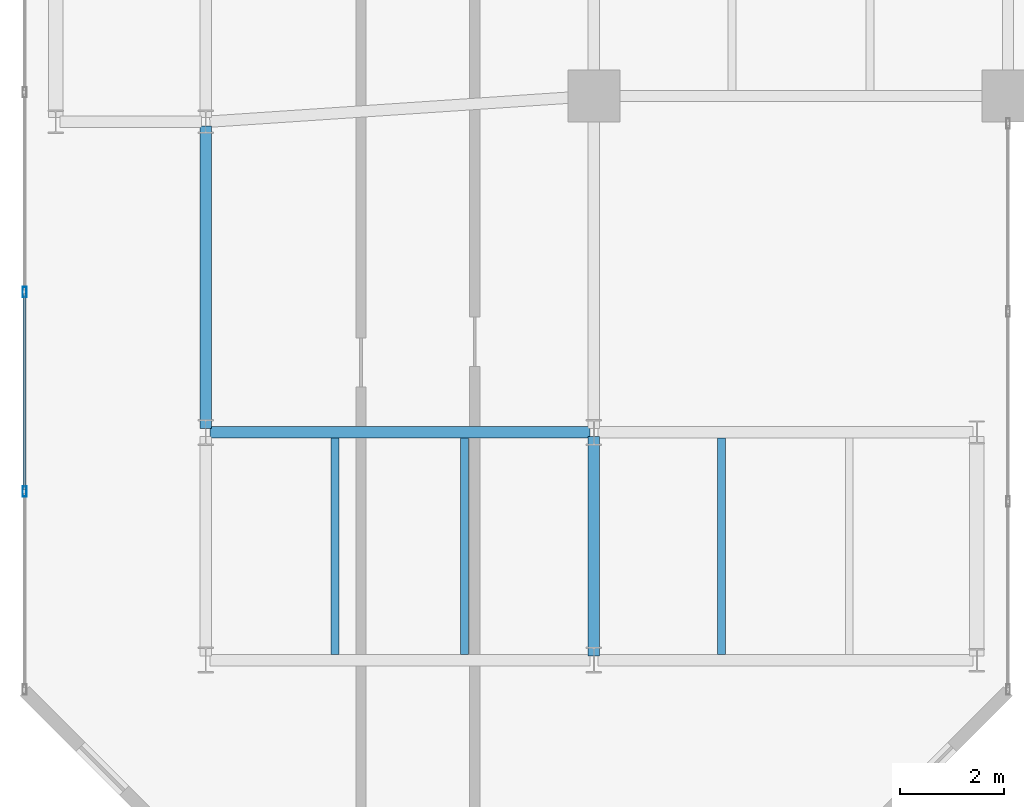
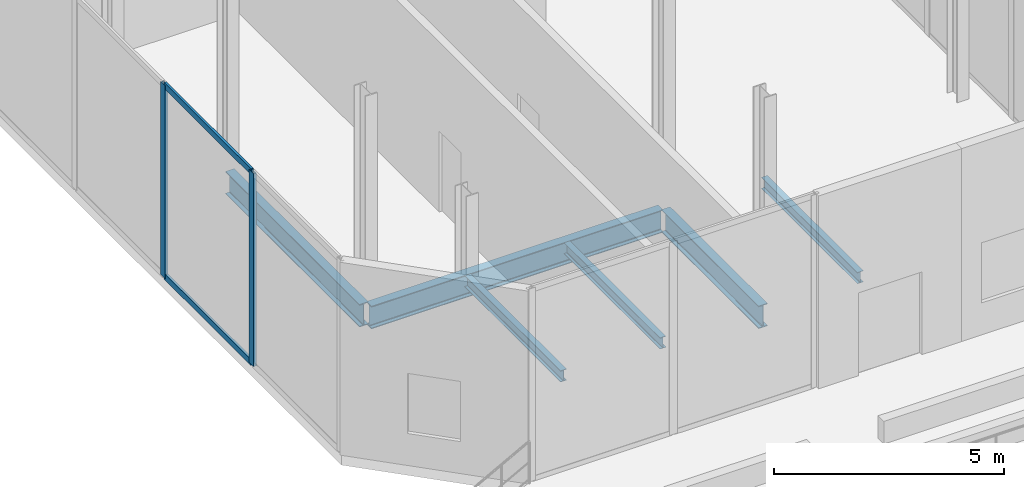
# One storey, part 4 of 17: 6 beams, 4 members, 1 element without a shape of its own.
"""IFC4 building model written with IfcOpenShell, lengths in metres."""

from ifc_helpers import new_model, si_unit, direction, frame, origin, origin_2d, place, context, subcontext, project, spatial, hollow_rectangle, i_section, extrude, material, layer, layer_set, material_profile, profile_set, type_object, element, aggregate, save


model = new_model("IFC4")

# Units and contexts
model_context = context("Model", 3, precision=1e-05, world=origin(), true_north=direction((0.0, 1.0)))
body_context = subcontext(model_context, "Body", "Model", "MODEL_VIEW")
ifc_project = project(units=[si_unit("LENGTHUNIT", "METRE"), si_unit("AREAUNIT", "SQUARE_METRE"), si_unit("VOLUMEUNIT", "CUBIC_METRE"), si_unit("PLANEANGLEUNIT", "RADIAN"), si_unit("MASSUNIT", "GRAM", prefix="KILO")], contexts=[model_context])

# Site, building, storey
site_placement = place(None, origin())
site = spatial("IfcSite", under=ifc_project, at=site_placement, CompositionType="ELEMENT")
building_placement = place(site_placement, origin())
building = spatial("IfcBuilding", under=site, at=building_placement, Name="Catumbela Crestline Tower", CompositionType="ELEMENT")
storey_placement = place(building_placement, frame((0.0, 0.0, 213.0)))
storey = spatial("IfcBuildingStorey", under=building, at=storey_placement, Name="L55", CompositionType="ELEMENT", Elevation=213.0)

# Beams
ifc_material_1 = material(Name="Structural steel S355J2", Category="steel")
ifc_material_profile_1 = material_profile(ifc_material_1, i_section(OverallWidth=0.22, OverallDepth=0.6, WebThickness=0.012, FlangeThickness=0.019, FilletRadius=0.024, at=origin_2d()), Name="IPE 600")
ifc_profile_set_1 = profile_set([ifc_material_profile_1], Name="Structural steel S355J2")
beam_type_1 = type_object("IfcBeamType", Name="BG-IPE600", PredefinedType="BEAM", material=ifc_profile_set_1)
beam_1_placement = place(storey_placement, frame((8.58, 18.0, -0.65), z_axis=(1.0, 0.0, 0.0), x_axis=(0.0, 1.0, 0.0)))
element("IfcBeam", 1, at=beam_1_placement, inside=storey, type_object=beam_type_1, Name="L55 Beam BM-L55-WEW29", PredefinedType="BEAM", context=body_context, shape_type="SweptSolid", body=[
    extrude(i_section(OverallWidth=0.22, OverallDepth=0.6, WebThickness=0.012, FlangeThickness=0.019, FilletRadius=0.024, at=origin_2d()), origin(), (0.0, 0.0, 1.0), 7.34),
])
beam_2_placement = place(storey_placement, frame((8.5, 18.08, -0.65), z_axis=(0.0, 1.0, 0.0), x_axis=(-1.0, 0.0, 0.0)))
element("IfcBeam", 2, at=beam_2_placement, inside=storey, type_object=beam_type_1, Name="L55 Beam BM-L55-WNS32", PredefinedType="BEAM", context=body_context, shape_type="SweptSolid", body=[
    extrude(i_section(OverallWidth=0.22, OverallDepth=0.6, WebThickness=0.012, FlangeThickness=0.019, FilletRadius=0.024, at=origin_2d()), origin(), (0.0, 0.0, 1.0), 5.84),
])
beam_3_placement = place(storey_placement, frame((16.0, 13.68, -0.65), z_axis=(0.0, 1.0, 0.0), x_axis=(-1.0, 0.0, 0.0)))
element("IfcBeam", 3, at=beam_3_placement, inside=storey, type_object=beam_type_1, Name="L55 Beam BM-L55-WNS33", PredefinedType="BEAM", context=body_context, shape_type="SweptSolid", body=[
    extrude(i_section(OverallWidth=0.22, OverallDepth=0.6, WebThickness=0.012, FlangeThickness=0.019, FilletRadius=0.024, at=origin_2d()), origin(), (0.0, 0.0, 1.0), 4.24),
])
ifc_material_profile_2 = material_profile(ifc_material_1, i_section(OverallWidth=0.15, OverallDepth=0.3, WebThickness=0.0071, FlangeThickness=0.0107, FilletRadius=0.015, at=origin_2d()), Name="IPE 300")
ifc_profile_set_2 = profile_set([ifc_material_profile_2], Name="Structural steel S355J2")
beam_type_2 = type_object("IfcBeamType", Name="BJ-IPE300", PredefinedType="JOIST", material=ifc_profile_set_2)
for number, where, z_axis, x_axis, name in (
    (4, (11.0, 13.71, -0.5), (0.0, 1.0, 0.0), (-1.0, 0.0, 0.0), "L55 Joist JS-L55-WG36"),
    (5, (13.5, 13.71, -0.5), (0.0, 1.0, 0.0), (-1.0, 0.0, 0.0), "L55 Joist JS-L55-WG37"),
    (6, (18.467, 13.71, -0.5), (0.0, 1.0, 0.0), (-1.0, 0.0, 0.0), "L55 Joist JS-L55-WG38"),
):
    element("IfcBeam", number, at=place(storey_placement, frame(where, z_axis=z_axis, x_axis=x_axis)), inside=storey, type_object=beam_type_2, Name=name, PredefinedType="JOIST", context=body_context, shape_type="SweptSolid", body=[
        extrude(i_section(OverallWidth=0.15, OverallDepth=0.3, WebThickness=0.0071, FlangeThickness=0.0107, FilletRadius=0.015, at=origin_2d()), origin(), (0.0, 0.0, 1.0), 4.18),
    ])

# Curtain wall, members
ifc_material_2 = material(Name="Aluminium alloy AW-6060-T66", Category="aluminium")
ifc_layer = layer(ifc_material_2, 0.18, Name="Aluminium alloy AW-6060-T66")
ifc_layer_set = layer_set([ifc_layer], Name="Aluminium alloy AW-6060-T66")
curtain_wall_type = type_object("IfcCurtainWallType", Name="CWU-SKY", PredefinedType="USERDEFINED", material=ifc_layer_set)
curtain_wall_placement = place(storey_placement, origin())
curtain_wall = element("IfcCurtainWall", 7, at=curtain_wall_placement, inside=storey, type_object=curtain_wall_type, Name="L55 Unitised Curtain Wall CW-L55-E9S1", ObjectType="UNITISED", PredefinedType="USERDEFINED")
ifc_material_profile_3 = material_profile(ifc_material_2, hollow_rectangle(XDim=0.075, YDim=0.2, WallThickness=0.005, at=origin_2d()), Name="ALU 200x75x5")
ifc_profile_set_3 = profile_set([ifc_material_profile_3], Name="Aluminium alloy AW-6060-T66")
member_type_1 = type_object("IfcMemberType", Name="MUL-200X75", PredefinedType="MULLION", material=ifc_profile_set_3)
member_1_placement = place(storey_placement, frame((5.0, 20.7143, 0.0), z_axis=(0.0, 0.0, 1.0), x_axis=(1.0, 0.0, 0.0)))
member_1 = element("IfcMember", 8, at=member_1_placement, type_object=member_type_1, Name="CWU-SKY mullion 6", PredefinedType="MULLION", context=body_context, shape_type="SweptSolid", body=[
    extrude(hollow_rectangle(XDim=0.075, YDim=0.2, WallThickness=0.005, at=origin_2d()), origin(), (0.0, 0.0, 1.0), 5.13),
])
member_2_placement = place(storey_placement, frame((5.0, 16.8571, 0.0), z_axis=(0.0, 0.0, 1.0), x_axis=(1.0, 0.0, 0.0)))
member_2 = element("IfcMember", 9, at=member_2_placement, type_object=member_type_1, Name="CWU-SKY mullion 7", PredefinedType="MULLION", context=body_context, shape_type="SweptSolid", body=[
    extrude(hollow_rectangle(XDim=0.075, YDim=0.2, WallThickness=0.005, at=origin_2d()), origin(), (0.0, 0.0, 1.0), 5.13),
])
ifc_material_profile_4 = material_profile(ifc_material_2, hollow_rectangle(XDim=0.06, YDim=0.16, WallThickness=0.004, at=origin_2d()), Name="ALU 160x60x4")
ifc_profile_set_4 = profile_set([ifc_material_profile_4], Name="Aluminium alloy AW-6060-T66")
member_type_2 = type_object("IfcMemberType", Name="TRN-160X60", PredefinedType="USERDEFINED", material=ifc_profile_set_4)
member_3_placement = place(storey_placement, frame((5.0, 20.6818, 0.03), z_axis=(0.0, -1.0, 0.0), x_axis=(1.0, 0.0, 0.0)))
member_3 = element("IfcMember", 10, at=member_3_placement, type_object=member_type_2, Name="CWU-SKY transom 6.1", ObjectType="TRANSOM", PredefinedType="USERDEFINED", context=body_context, shape_type="SweptSolid", body=[
    extrude(hollow_rectangle(XDim=0.06, YDim=0.16, WallThickness=0.004, at=origin_2d()), origin(), (0.0, 0.0, 1.0), 3.7922),
])
member_4_placement = place(storey_placement, frame((5.0, 20.6818, 5.1), z_axis=(0.0, -1.0, 0.0), x_axis=(1.0, 0.0, 0.0)))
member_4 = element("IfcMember", 11, at=member_4_placement, type_object=member_type_2, Name="CWU-SKY transom 6.2", ObjectType="TRANSOM", PredefinedType="USERDEFINED", context=body_context, shape_type="SweptSolid", body=[
    extrude(hollow_rectangle(XDim=0.06, YDim=0.16, WallThickness=0.004, at=origin_2d()), origin(), (0.0, 0.0, 1.0), 3.7922),
])
aggregate(curtain_wall, [member_1, member_2, member_3, member_4])

save(model, "model.ifc")
